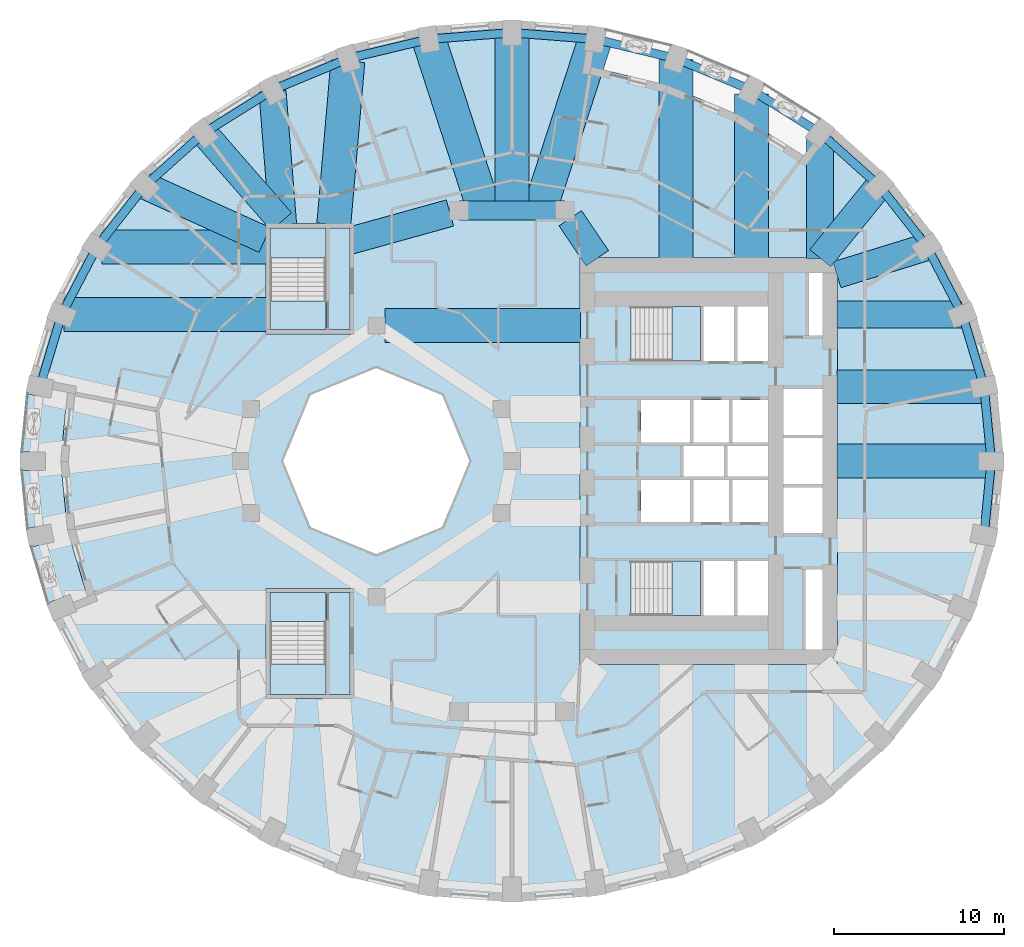
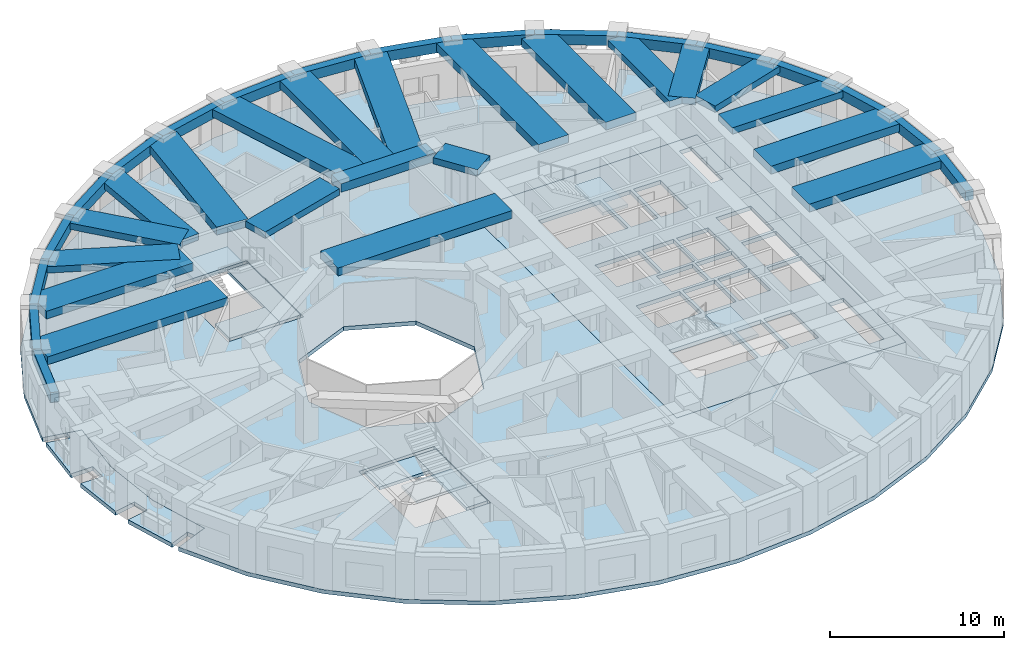
# One storey, part 2 of 13: 39 beams, 11 slabs, 4 elements without a shape of their own.
"""IFC4 building model written with IfcOpenShell, lengths in metres."""

from ifc_helpers import new_model, si_unit, direction, frame, origin, origin_2d, place, context, subcontext, project, spatial, polyline, rectangle, outline, extrude, material, layer, layer_set, material_profile, profile_set, type_object, element, aggregate, save


model = new_model("IFC4")

# Units and contexts
model_context = context("Model", 3, precision=1e-05, world=origin(), true_north=direction((0.0, 1.0)))
body_context = subcontext(model_context, "Body", "Model", "MODEL_VIEW")
ifc_project = project(units=[si_unit("LENGTHUNIT", "METRE"), si_unit("AREAUNIT", "SQUARE_METRE"), si_unit("VOLUMEUNIT", "CUBIC_METRE"), si_unit("PLANEANGLEUNIT", "RADIAN"), si_unit("MASSUNIT", "GRAM", prefix="KILO")], contexts=[model_context])

# Site, building, storey
site_placement = place(None, origin())
site = spatial("IfcSite", under=ifc_project, at=site_placement, CompositionType="ELEMENT")
building_placement = place(site_placement, origin())
building = spatial("IfcBuilding", under=site, at=building_placement, Name="Taillehof Tower", CompositionType="ELEMENT")
storey_placement = place(building_placement, frame((0.0, 0.0, 61.300048828125)))
storey = spatial("IfcBuildingStorey", under=building, at=storey_placement, Name="L16", CompositionType="ELEMENT", Elevation=61.300048828125)

# Beams
ifc_material_1 = material(Name="Concrete C50/60", Category="concrete")
ifc_material_profile_1 = material_profile(ifc_material_1, rectangle(XDim=1.10009765625, YDim=0.60009765625, at=origin_2d()), Name="RC 1100x600")
ifc_profile_set_1 = profile_set([ifc_material_profile_1], Name="Concrete C50/60")
beam_type_1 = type_object("IfcBeamType", Name="Mid-ring beam C50/60 1100x600", PredefinedType="BEAM", material=ifc_profile_set_1)
beam_1_placement = place(storey_placement, frame((3.125732421875, 14.772216796875, 2.719970703125), z_axis=(-1.0, 0.0, 0.0), x_axis=(0.0, -1.0, 0.0)))
element("IfcBeam", 1, at=beam_1_placement, inside=storey, type_object=beam_type_1, Name="Mid-ring beam MB01", PredefinedType="BEAM", context=body_context, shape_type="SweptSolid", body=[
    extrude(rectangle(XDim=1.10009765625, YDim=0.60009765625, at=origin_2d()), origin(), (0.0, 0.0, 1.0), 6.25146484375),
])
ifc_material_2 = material(Name="Concrete C50/60", Category="concrete")
ifc_material_profile_2 = material_profile(ifc_material_2, rectangle(XDim=1.60009765625, YDim=0.449951171875, at=origin_2d()), Name="RC 1600x450")
ifc_profile_set_2 = profile_set([ifc_material_profile_2], Name="Concrete C50/60")
beam_type_2 = type_object("IfcBeamType", Name="Radial band beam C50/60 1600x450", PredefinedType="BEAM", material=ifc_profile_set_2)
beam_2_placement = place(storey_placement, frame((26.490478515625, 8.635986328125, 2.794921875), z_axis=(-1.0, 0.0, 0.0), x_axis=(0.0, -1.0, 0.0)))
element("IfcBeam", 2, at=beam_2_placement, inside=storey, type_object=beam_type_2, Name="Radial band beam RB03", PredefinedType="BEAM", context=body_context, shape_type="SweptSolid", body=[
    extrude(rectangle(XDim=1.60009765625, YDim=0.449951171875, at=origin_2d()), origin(), (0.0, 0.0, 1.0), 7.340576171875),
])
beam_3_placement = place(storey_placement, frame((24.46533203125, 12.625, 2.794921875), z_axis=(-0.955535654338, -0.294875589511, 0.0), x_axis=(0.294875589511, -0.955535654338, 0.0)))
element("IfcBeam", 3, at=beam_3_placement, inside=storey, type_object=beam_type_2, Name="Radial band beam RB04", PredefinedType="BEAM", context=body_context, shape_type="SweptSolid", body=[
    extrude(rectangle(XDim=1.60009765625, YDim=0.449951171875, at=origin_2d()), origin(), (0.0, 0.0, 1.0), 5.560546875),
])
beam_4_placement = place(storey_placement, frame((21.640869140625, 16.23046875, 2.794921875), z_axis=(-0.630988373846, -0.775792286679, 0.0), x_axis=(0.775792286679, -0.630988373846, 0.0)))
element("IfcBeam", 4, at=beam_4_placement, inside=storey, type_object=beam_type_2, Name="Radial band beam RB05", PredefinedType="BEAM", context=body_context, shape_type="SweptSolid", body=[
    extrude(rectangle(XDim=1.60009765625, YDim=0.449951171875, at=origin_2d()), origin(), (0.0, 0.0, 1.0), 5.503173828125),
])
beam_5_placement = place(storey_placement, frame((18.15869140625, 19.05517578125, 2.794921875), z_axis=(0.0, -1.0, 0.0), x_axis=(1.0, 0.0, 0.0)))
element("IfcBeam", 5, at=beam_5_placement, inside=storey, type_object=beam_type_2, Name="Radial band beam RB06", PredefinedType="BEAM", context=body_context, shape_type="SweptSolid", body=[
    extrude(rectangle(XDim=1.60009765625, YDim=0.449951171875, at=origin_2d()), origin(), (0.0, 0.0, 1.0), 7.105224609375),
])
beam_6_placement = place(storey_placement, frame((-14.119873046875, 21.802978515625, 2.794921875), z_axis=(0.079184740988, -0.996859958467, 0.0), x_axis=(0.996859958467, 0.079184740988, 0.0)))
element("IfcBeam", 6, at=beam_6_placement, inside=storey, type_object=beam_type_2, Name="Radial band beam RB13", PredefinedType="BEAM", context=body_context, shape_type="SweptSolid", body=[
    extrude(rectangle(XDim=1.60009765625, YDim=0.449951171875, at=origin_2d()), origin(), (0.0, 0.0, 1.0), 7.87744140625),
])
beam_7_placement = place(storey_placement, frame((-18.15869140625, 19.342529296875, 2.794921875), z_axis=(0.65721824087, -0.753700327628, 0.0), x_axis=(0.753700327628, 0.65721824087, 0.0)))
element("IfcBeam", 7, at=beam_7_placement, inside=storey, type_object=beam_type_2, Name="Radial band beam RB14", PredefinedType="BEAM", context=body_context, shape_type="SweptSolid", body=[
    extrude(rectangle(XDim=1.60009765625, YDim=0.449951171875, at=origin_2d()), origin(), (0.0, 0.0, 1.0), 6.9384765625),
])
beam_8_placement = place(storey_placement, frame((-21.632568359375, 16.226806640625, 2.794921875), z_axis=(0.911100590789, -0.412184077161, 0.0), x_axis=(0.412184077161, 0.911100590789, 0.0)))
element("IfcBeam", 8, at=beam_8_placement, inside=storey, type_object=beam_type_2, Name="Radial band beam RB15", PredefinedType="BEAM", context=body_context, shape_type="SweptSolid", body=[
    extrude(rectangle(XDim=1.60009765625, YDim=0.449951171875, at=origin_2d()), origin(), (0.0, 0.0, 1.0), 7.740966796875),
])
beam_9_placement = place(storey_placement, frame((3.433837890625, 14.31640625, 2.794921875), z_axis=(0.560112043398, -0.828416862962, 0.0), x_axis=(0.828416862962, 0.560112043398, 0.0)))
element("IfcBeam", 9, at=beam_9_placement, inside=storey, type_object=beam_type_2, Name="Inner band beam IB205", PredefinedType="BEAM", context=body_context, shape_type="SweptSolid", body=[
    extrude(rectangle(XDim=1.60009765625, YDim=0.449951171875, at=origin_2d()), origin(), (0.0, 0.0, 1.0), 2.84619140625),
])
beam_10_placement = place(storey_placement, frame((-3.655517578125, 14.624755859375, 2.794921875), z_axis=(-0.963459369536, -0.267854518821, 0.0), x_axis=(0.267854518821, -0.963459369536, 0.0)))
element("IfcBeam", 10, at=beam_10_placement, inside=storey, type_object=beam_type_2, Name="Inner band beam IB206", PredefinedType="BEAM", context=body_context, shape_type="SweptSolid", body=[
    extrude(rectangle(XDim=1.60009765625, YDim=0.449951171875, at=origin_2d()), origin(), (0.0, 0.0, 1.0), 6.096923828125),
])
ifc_material_3 = material(Name="Concrete C50/60", Category="concrete")
ifc_material_profile_3 = material_profile(ifc_material_3, rectangle(XDim=2.0, YDim=0.550048828125, at=origin_2d()), Name="RC 2000x550")
ifc_profile_set_3 = profile_set([ifc_material_profile_3], Name="Concrete C50/60")
beam_type_3 = type_object("IfcBeamType", Name="Radial band beam C50/60 2000x550", PredefinedType="BEAM", material=ifc_profile_set_3)
beam_11_placement = place(storey_placement, frame((28.25, 0.0, 2.744873046875), z_axis=(-1.0, 0.0, 0.0), x_axis=(0.0, -1.0, 0.0)))
element("IfcBeam", 11, at=beam_11_placement, inside=storey, type_object=beam_type_3, Name="Radial band beam RB01", PredefinedType="BEAM", context=body_context, shape_type="SweptSolid", body=[
    extrude(rectangle(XDim=2.0, YDim=0.550048828125, at=origin_2d()), origin(), (0.0, 0.0, 1.0), 9.10009765625),
])
beam_12_placement = place(storey_placement, frame((27.82080078125, 4.384521484375, 2.744873046875), z_axis=(-1.0, 0.0, 0.0), x_axis=(0.0, -1.0, 0.0)))
element("IfcBeam", 12, at=beam_12_placement, inside=storey, type_object=beam_type_3, Name="Radial band beam RB02", PredefinedType="BEAM", context=body_context, shape_type="SweptSolid", body=[
    extrude(rectangle(XDim=2.0, YDim=0.550048828125, at=origin_2d()), origin(), (0.0, 0.0, 1.0), 8.6708984375),
])
beam_13_placement = place(storey_placement, frame((14.125, 21.63232421875, 2.744873046875), z_axis=(0.0, -1.0, 0.0), x_axis=(1.0, 0.0, 0.0)))
element("IfcBeam", 13, at=beam_13_placement, inside=storey, type_object=beam_type_3, Name="Radial band beam RB07", PredefinedType="BEAM", context=body_context, shape_type="SweptSolid", body=[
    extrude(rectangle(XDim=2.0, YDim=0.550048828125, at=origin_2d()), origin(), (0.0, 0.0, 1.0), 9.682373046875),
])
beam_14_placement = place(storey_placement, frame((9.662109375, 23.664794921875, 2.744873046875), z_axis=(0.0, -1.0, 0.0), x_axis=(1.0, 0.0, 0.0)))
element("IfcBeam", 14, at=beam_14_placement, inside=storey, type_object=beam_type_3, Name="Radial band beam RB08", PredefinedType="BEAM", context=body_context, shape_type="SweptSolid", body=[
    extrude(rectangle(XDim=2.0, YDim=0.550048828125, at=origin_2d()), origin(), (0.0, 0.0, 1.0), 11.71484375),
])
beam_15_placement = place(storey_placement, frame((4.905517578125, 24.866455078125, 2.744873046875), z_axis=(-0.309014294595, -0.951057393503, 0.0), x_axis=(0.951057393503, -0.309014294595, 0.0)))
element("IfcBeam", 15, at=beam_15_placement, inside=storey, type_object=beam_type_3, Name="Radial band beam RB09", PredefinedType="BEAM", context=body_context, shape_type="SweptSolid", body=[
    extrude(rectangle(XDim=2.0, YDim=0.550048828125, at=origin_2d()), origin(), (0.0, 0.0, 1.0), 10.61376953125),
])
beam_16_placement = place(storey_placement, frame((0.0, 25.25, 2.744873046875), z_axis=(0.0, -1.0, 0.0), x_axis=(1.0, 0.0, 0.0)))
element("IfcBeam", 16, at=beam_16_placement, inside=storey, type_object=beam_type_3, Name="Radial band beam RB10", PredefinedType="BEAM", context=body_context, shape_type="SweptSolid", body=[
    extrude(rectangle(XDim=2.0, YDim=0.550048828125, at=origin_2d()), origin(), (0.0, 0.0, 1.0), 10.477783203125),
])
beam_17_placement = place(storey_placement, frame((-4.905517578125, 24.866455078125, 2.744873046875), z_axis=(0.309014294595, -0.951057393503, 0.0), x_axis=(0.951057393503, 0.309014294595, 0.0)))
element("IfcBeam", 17, at=beam_17_placement, inside=storey, type_object=beam_type_3, Name="Radial band beam RB11", PredefinedType="BEAM", context=body_context, shape_type="SweptSolid", body=[
    extrude(rectangle(XDim=2.0, YDim=0.550048828125, at=origin_2d()), origin(), (0.0, 0.0, 1.0), 10.61376953125),
])
beam_18_placement = place(storey_placement, frame((-9.675048828125, 23.575927734375, 2.744873046875), z_axis=(-0.085841202752, -0.996308831593, 0.0), x_axis=(0.996308831593, -0.085841202752, 0.0)))
element("IfcBeam", 18, at=beam_18_placement, inside=storey, type_object=beam_type_3, Name="Radial band beam RB12", PredefinedType="BEAM", context=body_context, shape_type="SweptSolid", body=[
    extrude(rectangle(XDim=2.0, YDim=0.550048828125, at=origin_2d()), origin(), (0.0, 0.0, 1.0), 9.661376953125),
])
beam_19_placement = place(storey_placement, frame((-24.172607421875, 12.625, 2.744873046875), z_axis=(1.0, 0.0, 0.0), x_axis=(0.0, 1.0, 0.0)))
element("IfcBeam", 19, at=beam_19_placement, inside=storey, type_object=beam_type_3, Name="Radial band beam RB16", PredefinedType="BEAM", context=body_context, shape_type="SweptSolid", body=[
    extrude(rectangle(XDim=2.0, YDim=0.550048828125, at=origin_2d()), origin(), (0.0, 0.0, 1.0), 9.72265625),
])
beam_20_placement = place(storey_placement, frame((-26.408935546875, 8.635986328125, 2.744873046875), z_axis=(1.0, 0.0, 0.0), x_axis=(0.0, 1.0, 0.0)))
element("IfcBeam", 20, at=beam_20_placement, inside=storey, type_object=beam_type_3, Name="Radial band beam RB17", PredefinedType="BEAM", context=body_context, shape_type="SweptSolid", body=[
    extrude(rectangle(XDim=2.0, YDim=0.550048828125, at=origin_2d()), origin(), (0.0, 0.0, 1.0), 11.958984375),
])
beam_21_placement = place(storey_placement, frame((-7.5, 8.0, 2.744873046875), z_axis=(1.0, 0.0, 0.0), x_axis=(0.0, 1.0, 0.0)))
element("IfcBeam", 21, at=beam_21_placement, inside=storey, type_object=beam_type_3, Name="Inner band beam IB105", PredefinedType="BEAM", context=body_context, shape_type="SweptSolid", body=[
    extrude(rectangle(XDim=2.0, YDim=0.550048828125, at=origin_2d()), origin(), (0.0, 0.0, 1.0), 11.550048828125),
])
ifc_material_4 = material(Name="Concrete C50/60", Category="concrete")
ifc_material_profile_4 = material_profile(ifc_material_4, rectangle(XDim=0.5, YDim=0.699951171875, at=origin_2d()), Name="RC 500x700")
ifc_profile_set_4 = profile_set([ifc_material_profile_4], Name="Concrete C50/60")
beam_type_4 = type_object("IfcBeamType", Name="Spandrel beam C50/60 500x700", PredefinedType="SPANDREL", material=ifc_profile_set_4)
beam_22_placement = place(storey_placement, frame((28.25, 0.0, 2.669921875), z_axis=(-0.097423973567, 0.99524297002, 0.0), x_axis=(-0.99524297002, -0.097423973567, 0.0)))
element("IfcBeam", 22, at=beam_22_placement, inside=storey, type_object=beam_type_4, Name="Spandrel beam SB01", PredefinedType="SPANDREL", context=body_context, shape_type="SweptSolid", body=[
    extrude(rectangle(XDim=0.5, YDim=0.699951171875, at=origin_2d()), origin(), (0.0, 0.0, 1.0), 4.405517578125),
])
beam_23_placement = place(storey_placement, frame((27.82080078125, 4.384521484375, 2.669921875), z_axis=(-0.287135925407, 0.957889847707, 0.0), x_axis=(-0.957889847707, -0.287135925407, 0.0)))
element("IfcBeam", 23, at=beam_23_placement, inside=storey, type_object=beam_type_4, Name="Spandrel beam SB02", PredefinedType="SPANDREL", context=body_context, shape_type="SweptSolid", body=[
    extrude(rectangle(XDim=0.5, YDim=0.699951171875, at=origin_2d()), origin(), (0.0, 0.0, 1.0), 4.4384765625),
])
beam_24_placement = place(storey_placement, frame((26.54638671875, 8.635986328125, 2.669921875), z_axis=(-0.462536335232, 0.886600326297, 0.0), x_axis=(-0.886600326297, -0.462536335232, 0.0)))
element("IfcBeam", 24, at=beam_24_placement, inside=storey, type_object=beam_type_4, Name="Spandrel beam SB03", PredefinedType="SPANDREL", context=body_context, shape_type="SweptSolid", body=[
    extrude(rectangle(XDim=0.5, YDim=0.699951171875, at=origin_2d()), origin(), (0.0, 0.0, 1.0), 4.499267578125),
])
beam_25_placement = place(storey_placement, frame((24.46533203125, 12.625, 2.669921875), z_axis=(-0.616686200373, 0.787209076593, 0.0), x_axis=(-0.787209076593, -0.616686200373, 0.0)))
element("IfcBeam", 25, at=beam_25_placement, inside=storey, type_object=beam_type_4, Name="Spandrel beam SB04", PredefinedType="SPANDREL", context=body_context, shape_type="SweptSolid", body=[
    extrude(rectangle(XDim=0.5, YDim=0.699951171875, at=origin_2d()), origin(), (0.0, 0.0, 1.0), 4.580078125),
])
beam_26_placement = place(storey_placement, frame((21.640869140625, 16.23046875, 2.669921875), z_axis=(-0.745621283614, 0.666369943366, 0.0), x_axis=(-0.666369943366, -0.745621283614, 0.0)))
element("IfcBeam", 26, at=beam_26_placement, inside=storey, type_object=beam_type_4, Name="Spandrel beam SB05", PredefinedType="SPANDREL", context=body_context, shape_type="SweptSolid", body=[
    extrude(rectangle(XDim=0.5, YDim=0.699951171875, at=origin_2d()), origin(), (0.0, 0.0, 1.0), 4.670166015625),
])
beam_27_placement = place(storey_placement, frame((18.15869140625, 19.342529296875, 2.669921875), z_axis=(-0.847658018883, 0.530543007703, 0.0), x_axis=(-0.530543007703, -0.847658018883, 0.0)))
element("IfcBeam", 27, at=beam_27_placement, inside=storey, type_object=beam_type_4, Name="Spandrel beam SB06", PredefinedType="SPANDREL", context=body_context, shape_type="SweptSolid", body=[
    extrude(rectangle(XDim=0.5, YDim=0.699951171875, at=origin_2d()), origin(), (0.0, 0.0, 1.0), 4.758544921875),
])
beam_28_placement = place(storey_placement, frame((14.125, 21.8671875, 2.669921875), z_axis=(-0.923035088053, 0.384715773297, 0.0), x_axis=(-0.384715773297, -0.923035088053, 0.0)))
element("IfcBeam", 28, at=beam_28_placement, inside=storey, type_object=beam_type_4, Name="Spandrel beam SB07", PredefinedType="SPANDREL", context=body_context, shape_type="SweptSolid", body=[
    extrude(rectangle(XDim=0.5, YDim=0.699951171875, at=origin_2d()), origin(), (0.0, 0.0, 1.0), 4.8349609375),
])
beam_29_placement = place(storey_placement, frame((9.662109375, 23.727294921875, 2.669921875), z_axis=(-0.9724995553, 0.232904733616, 0.0), x_axis=(-0.232904733616, -0.9724995553, 0.0)))
element("IfcBeam", 29, at=beam_29_placement, inside=storey, type_object=beam_type_4, Name="Spandrel beam SB08", PredefinedType="SPANDREL", context=body_context, shape_type="SweptSolid", body=[
    extrude(rectangle(XDim=0.5, YDim=0.699951171875, at=origin_2d()), origin(), (0.0, 0.0, 1.0), 4.89111328125),
])
for number, where, z_axis, x_axis, name in (
    (30, (4.905517578125, 24.866455078125, 2.669921875), (-0.996957383661, 0.077948541767, 0.0), (-0.077948541767, -0.996957383661, 0.0), "Spandrel beam SB09"),
    (31, (0.0, 25.25, 2.669921875), (-0.996957383661, -0.077948541767, 0.0), (0.077948541767, -0.996957383661, 0.0), "Spandrel beam SB10"),
):
    element("IfcBeam", number, at=place(storey_placement, frame(where, z_axis=z_axis, x_axis=x_axis)), inside=storey, type_object=beam_type_4, Name=name, PredefinedType="SPANDREL", context=body_context, shape_type="SweptSolid", body=[
        extrude(rectangle(XDim=0.5, YDim=0.699951171875, at=origin_2d()), origin(), (0.0, 0.0, 1.0), 4.92041015625),
    ])
beam_30_placement = place(storey_placement, frame((-4.905517578125, 24.866455078125, 2.669921875), z_axis=(-0.9724995553, -0.232904733616, 0.0), x_axis=(0.232904733616, -0.9724995553, 0.0)))
element("IfcBeam", 32, at=beam_30_placement, inside=storey, type_object=beam_type_4, Name="Spandrel beam SB11", PredefinedType="SPANDREL", context=body_context, shape_type="SweptSolid", body=[
    extrude(rectangle(XDim=0.5, YDim=0.699951171875, at=origin_2d()), origin(), (0.0, 0.0, 1.0), 4.89111328125),
])
beam_31_placement = place(storey_placement, frame((-9.662109375, 23.727294921875, 2.669921875), z_axis=(-0.923035088053, -0.384715773297, 0.0), x_axis=(0.384715773297, -0.923035088053, 0.0)))
element("IfcBeam", 33, at=beam_31_placement, inside=storey, type_object=beam_type_4, Name="Spandrel beam SB12", PredefinedType="SPANDREL", context=body_context, shape_type="SweptSolid", body=[
    extrude(rectangle(XDim=0.5, YDim=0.699951171875, at=origin_2d()), origin(), (0.0, 0.0, 1.0), 4.8349609375),
])
beam_32_placement = place(storey_placement, frame((-14.125, 21.8671875, 2.669921875), z_axis=(-0.847658018883, -0.530543007703, 0.0), x_axis=(0.530543007703, -0.847658018883, 0.0)))
element("IfcBeam", 34, at=beam_32_placement, inside=storey, type_object=beam_type_4, Name="Spandrel beam SB13", PredefinedType="SPANDREL", context=body_context, shape_type="SweptSolid", body=[
    extrude(rectangle(XDim=0.5, YDim=0.699951171875, at=origin_2d()), origin(), (0.0, 0.0, 1.0), 4.758544921875),
])
beam_33_placement = place(storey_placement, frame((-18.15869140625, 19.342529296875, 2.669921875), z_axis=(-0.745621283614, -0.666369943366, 0.0), x_axis=(0.666369943366, -0.745621283614, 0.0)))
element("IfcBeam", 35, at=beam_33_placement, inside=storey, type_object=beam_type_4, Name="Spandrel beam SB14", PredefinedType="SPANDREL", context=body_context, shape_type="SweptSolid", body=[
    extrude(rectangle(XDim=0.5, YDim=0.699951171875, at=origin_2d()), origin(), (0.0, 0.0, 1.0), 4.670166015625),
])
beam_34_placement = place(storey_placement, frame((-21.640869140625, 16.23046875, 2.669921875), z_axis=(-0.616686200373, -0.787209076593, 0.0), x_axis=(0.787209076593, -0.616686200373, 0.0)))
element("IfcBeam", 36, at=beam_34_placement, inside=storey, type_object=beam_type_4, Name="Spandrel beam SB15", PredefinedType="SPANDREL", context=body_context, shape_type="SweptSolid", body=[
    extrude(rectangle(XDim=0.5, YDim=0.699951171875, at=origin_2d()), origin(), (0.0, 0.0, 1.0), 4.580078125),
])
beam_35_placement = place(storey_placement, frame((-24.46533203125, 12.625, 2.669921875), z_axis=(-0.462536335232, -0.886600326297, 0.0), x_axis=(0.886600326297, -0.462536335232, 0.0)))
element("IfcBeam", 37, at=beam_35_placement, inside=storey, type_object=beam_type_4, Name="Spandrel beam SB16", PredefinedType="SPANDREL", context=body_context, shape_type="SweptSolid", body=[
    extrude(rectangle(XDim=0.5, YDim=0.699951171875, at=origin_2d()), origin(), (0.0, 0.0, 1.0), 4.499267578125),
])
beam_36_placement = place(storey_placement, frame((-26.54638671875, 8.635986328125, 2.669921875), z_axis=(-0.287135925407, -0.957889847707, 0.0), x_axis=(0.957889847707, -0.287135925407, 0.0)))
element("IfcBeam", 38, at=beam_36_placement, inside=storey, type_object=beam_type_4, Name="Spandrel beam SB17", PredefinedType="SPANDREL", context=body_context, shape_type="SweptSolid", body=[
    extrude(rectangle(XDim=0.5, YDim=0.699951171875, at=origin_2d()), origin(), (0.0, 0.0, 1.0), 4.4384765625),
])
beam_37_placement = place(storey_placement, frame((27.82080078125, -4.384521484375, 2.669921875), z_axis=(0.097423973567, 0.99524297002, 0.0), x_axis=(-0.99524297002, 0.097423973567, 0.0)))
element("IfcBeam", 39, at=beam_37_placement, inside=storey, type_object=beam_type_4, Name="Spandrel beam SB36", PredefinedType="SPANDREL", context=body_context, shape_type="SweptSolid", body=[
    extrude(rectangle(XDim=0.5, YDim=0.699951171875, at=origin_2d()), origin(), (0.0, 0.0, 1.0), 4.405517578125),
])

# Slabs
ifc_material_5 = material(Name="Concrete C40/50", Category="concrete")
ifc_layer_1 = layer(ifc_material_5, 0.280029296875)
ifc_layer_set_1 = layer_set([ifc_layer_1], Name="Balcony slab 280")
slab_type_1 = type_object("IfcSlabType", Name="Balcony slab 280", PredefinedType="USERDEFINED", material=ifc_layer_set_1)
slab_1_placement = place(storey_placement, frame((0.0, 0.0, -0.280029296875)))
element("IfcSlab", 40, at=slab_1_placement, inside=storey, type_object=slab_type_1, Name="Balcony L16 pocket 5", ObjectType="BALCONY", PredefinedType="USERDEFINED", context=body_context, shape_type="SweptSolid", body=[
    extrude(outline(polyline([(-25.02734375, -7.98974609375), (-25.86181640625, -8.328369140625), (-26.058349609375, -7.84423828125), (-27.4013671875, -8.3896484375), (-28.39697265625, -5.058349609375), (-26.978759765625, -4.779541015625), (-27.191162109375, -3.7001953125), (-28.611572265625, -3.979736328125), (-28.9462890625, -0.550048828125), (-27.5, -0.550048828125), (-27.5, 0.550048828125), (-28.9462890625, 0.550048828125), (-28.611572265625, 3.979736328125), (-27.191162109375, 3.7001953125), (-27.087646484375, 4.225341796875), (-26.20458984375, 4.0517578125), (-26.60009765625, 0.0), (-26.20458984375, -4.0517578125), (-25.02734375, -7.98974609375)])), origin(), (0.0, 0.0, 1.0), 0.280029296875),
])
ifc_material_6 = material(Name="Concrete C40/50", Category="concrete")
ifc_layer_2 = layer(ifc_material_6, 0.280029296875)
ifc_layer_set_2 = layer_set([ifc_layer_2], Name="Core floor slab C40/50 280")
slab_type_2 = type_object("IfcSlabType", Name="Core floor slab C40/50 280", PredefinedType="FLOOR", material=ifc_layer_set_2)
slab_2_placement = place(storey_placement, frame((0.0, 0.0, -0.280029296875)))
element("IfcSlab", 41, at=slab_2_placement, inside=storey, type_object=slab_type_2, Name="Core floor L16", PredefinedType="FLOOR", context=body_context, shape_type="SweptSolid", body=[
    extrude(outline(polyline([(4.0, -12.0), (4.0, 12.0), (19.199951171875, 12.0), (19.199951171875, -12.0), (4.0, -12.0)]), holes=[polyline([(7.00048828125, -9.10009765625), (11.10009765625, -9.10009765625), (11.10009765625, -5.89990234375), (7.00048828125, -5.89990234375), (7.00048828125, -9.10009765625)]), polyline([(13.10009765625, -9.10009765625), (13.10009765625, -5.89990234375), (11.300048828125, -5.89990234375), (11.300048828125, -9.10009765625), (13.10009765625, -9.10009765625)]), polyline([(10.5, -3.60009765625), (10.5, -1.10009765625), (7.60009765625, -1.10009765625), (7.60009765625, -3.60009765625), (10.5, -3.60009765625)]), polyline([(12.800048828125, -3.60009765625), (12.800048828125, -1.10009765625), (10.699951171875, -1.10009765625), (10.699951171875, -3.60009765625), (12.800048828125, -3.60009765625)]), polyline([(12.5, -0.89990234375), (12.5, 0.89990234375), (10.10009765625, 0.89990234375), (10.10009765625, -0.89990234375), (12.5, -0.89990234375)]), polyline([(15.10009765625, -0.89990234375), (15.10009765625, 0.89990234375), (12.699951171875, 0.89990234375), (12.699951171875, -0.89990234375), (15.10009765625, -0.89990234375)]), polyline([(10.5, 1.10009765625), (10.5, 3.60009765625), (7.60009765625, 3.60009765625), (7.60009765625, 1.10009765625), (10.5, 1.10009765625)]), polyline([(10.699951171875, 1.10009765625), (12.800048828125, 1.10009765625), (12.800048828125, 3.60009765625), (10.699951171875, 3.60009765625), (10.699951171875, 1.10009765625)]), polyline([(11.300048828125, 5.89990234375), (13.10009765625, 5.89990234375), (13.10009765625, 9.10009765625), (11.300048828125, 9.10009765625), (11.300048828125, 5.89990234375)]), polyline([(11.10009765625, 5.89990234375), (11.10009765625, 9.10009765625), (7.00048828125, 9.10009765625), (7.00048828125, 5.89990234375), (11.10009765625, 5.89990234375)]), polyline([(18.300048828125, -11.10009765625), (18.300048828125, -6.39990234375), (17.300048828125, -6.39990234375), (17.300048828125, -11.10009765625), (18.300048828125, -11.10009765625)]), polyline([(15.10009765625, -9.10009765625), (15.10009765625, -5.89990234375), (13.300048828125, -5.89990234375), (13.300048828125, -9.10009765625), (15.10009765625, -9.10009765625)]), polyline([(16.0, -4.25), (18.300048828125, -4.25), (18.300048828125, -1.550048828125), (16.0, -1.550048828125), (16.0, -4.25)]), polyline([(13.0, -3.60009765625), (15.10009765625, -3.60009765625), (15.10009765625, -1.10009765625), (13.0, -1.10009765625), (13.0, -3.60009765625)]), polyline([(18.300048828125, -1.35009765625), (18.300048828125, 1.35009765625), (16.0, 1.35009765625), (16.0, -1.35009765625), (18.300048828125, -1.35009765625)]), polyline([(15.10009765625, 1.10009765625), (15.10009765625, 3.60009765625), (13.0, 3.60009765625), (13.0, 1.10009765625), (15.10009765625, 1.10009765625)]), polyline([(18.300048828125, 1.550048828125), (18.300048828125, 4.25), (16.0, 4.25), (16.0, 1.550048828125), (18.300048828125, 1.550048828125)]), polyline([(13.300048828125, 5.89990234375), (15.10009765625, 5.89990234375), (15.10009765625, 9.10009765625), (13.300048828125, 9.10009765625), (13.300048828125, 5.89990234375)]), polyline([(17.5, 7.39990234375), (18.300048828125, 7.39990234375), (18.300048828125, 11.10009765625), (17.5, 11.10009765625), (17.5, 7.39990234375)])]), origin(), (0.0, 0.0, 1.0), 0.280029296875),
])
ifc_material_7 = material(Name="Concrete C40/50", Category="concrete")
ifc_layer_3 = layer(ifc_material_7, 0.280029296875)
ifc_layer_set_3 = layer_set([ifc_layer_3], Name="Floor slab 280")
slab_type_3 = type_object("IfcSlabType", Name="Floor slab 280", PredefinedType="FLOOR", material=ifc_layer_set_3)
slab_3_placement = place(storey_placement, frame((0.0, 0.0, -0.280029296875)))
element("IfcSlab", 42, at=slab_3_placement, inside=storey, type_object=slab_type_3, Name="Floor slab L16", PredefinedType="FLOOR", context=body_context, shape_type="SweptSolid", body=[
    extrude(outline(polyline([(29.0, 0.0), (28.559326171875, 4.514892578125), (27.251220703125, 8.892578125), (25.11474609375, 13.0), (22.21533203125, 16.71240234375), (18.640869140625, 19.917236328125), (17.197998046875, 17.999267578125), (13.396728515625, 20.38525390625), (9.174072265625, 22.150390625), (4.660888671875, 23.234375), (5.035888671875, 25.60498046875), (0.0, 26.0), (-5.035888671875, 25.60498046875), (-9.918701171875, 24.431884765625), (-14.5, 22.5166015625), (-18.640869140625, 19.917236328125), (-22.21533203125, 16.71240234375), (-25.11474609375, 13.0), (-27.251220703125, 8.892578125), (-28.559326171875, 4.514892578125), (-26.20458984375, 4.0517578125), (-26.60009765625, 0.0), (-26.20458984375, -4.0517578125), (-25.02734375, -7.98974609375), (-27.251220703125, -8.892578125), (-25.11474609375, -13.0), (-22.21533203125, -16.71240234375), (-18.640869140625, -19.917236328125), (-14.5, -22.5166015625), (-9.918701171875, -24.431884765625), (-5.035888671875, -25.60498046875), (0.0, -26.0), (5.035888671875, -25.60498046875), (9.918701171875, -24.431884765625), (14.5, -22.5166015625), (18.640869140625, -19.917236328125), (22.21533203125, -16.71240234375), (25.11474609375, -13.0), (27.251220703125, -8.892578125), (28.559326171875, -4.514892578125), (29.0, 0.0)]), holes=[polyline([(-14.5, -7.5), (-9.5, -7.5), (-9.5, -14.0), (-14.5, -14.0), (-14.5, -7.5)]), polyline([(-8.0, -5.5), (-11.88916015625, -3.88916015625), (-13.5, 0.0), (-11.88916015625, 3.88916015625), (-8.0, 5.5), (-4.11083984375, 3.88916015625), (-2.5, 0.0), (-4.11083984375, -3.88916015625), (-8.0, -5.5)]), polyline([(19.199951171875, 12.0), (19.199951171875, -12.0), (4.0, -12.0), (4.0, 12.0), (19.199951171875, 12.0)]), polyline([(-14.5, 14.0), (-9.5, 14.0), (-9.5, 7.5), (-14.5, 7.5), (-14.5, 14.0)])]), origin(), (0.0, 0.0, 1.0), 0.280029296875),
])

# Stair, slab
ifc_material_8 = material(Name="Concrete C40/50", Category="concrete")
stair_type = type_object("IfcStairType", Name="Exit stair half-turn", PredefinedType="HALF_TURN_STAIR", material=ifc_material_8)
stair_1_placement = place(storey_placement, origin())
stair_1 = element("IfcStair", 43, at=stair_1_placement, inside=storey, type_object=stair_type, Name="Exit stair S1", PredefinedType="HALF_TURN_STAIR")
ifc_material_9 = material(Name="Concrete C40/50", Category="concrete")
ifc_layer_4 = layer(ifc_material_9, 0.2099609375)
ifc_layer_set_4 = layer_set([ifc_layer_4], Name="Stair landing C40/50 210")
slab_type_4 = type_object("IfcSlabType", Name="Stair landing C40/50 210", PredefinedType="LANDING", material=ifc_layer_set_4)
slab_4_placement = place(storey_placement, frame((0.0, 0.0, 1.43994140625)))
slab_4 = element("IfcSlab", 44, at=slab_4_placement, type_object=slab_type_4, Name="S1 landing 1", PredefinedType="LANDING", context=body_context, shape_type="SweptSolid", body=[
    extrude(outline(polyline([(9.429931640625, 5.89990234375), (11.10009765625, 5.89990234375), (11.10009765625, 9.10009765625), (9.429931640625, 9.10009765625), (9.429931640625, 5.89990234375)])), origin(), (0.0, 0.0, 1.0), 0.2099609375),
])
aggregate(stair_1, [slab_4])

stair_2_placement = place(storey_placement, origin())
stair_2 = element("IfcStair", 45, at=stair_2_placement, inside=storey, type_object=stair_type, Name="Exit stair S2", PredefinedType="HALF_TURN_STAIR")
slab_5_placement = place(storey_placement, frame((0.0, 0.0, 1.43994140625)))
slab_5 = element("IfcSlab", 46, at=slab_5_placement, type_object=slab_type_4, Name="S2 landing 1", PredefinedType="LANDING", context=body_context, shape_type="SweptSolid", body=[
    extrude(outline(polyline([(9.429931640625, -5.89990234375), (11.10009765625, -5.89990234375), (11.10009765625, -9.10009765625), (9.429931640625, -9.10009765625), (9.429931640625, -5.89990234375)])), origin(), (0.0, 0.0, 1.0), 0.2099609375),
])
aggregate(stair_2, [slab_5])

stair_3_placement = place(storey_placement, origin())
stair_3 = element("IfcStair", 47, at=stair_3_placement, inside=storey, type_object=stair_type, Name="Exit stair S3", PredefinedType="HALF_TURN_STAIR")
slab_6_placement = place(storey_placement, frame((0.0, 0.0, 1.43994140625)))
slab_6 = element("IfcSlab", 48, at=slab_6_placement, type_object=slab_type_4, Name="S3 landing 1", PredefinedType="LANDING", context=body_context, shape_type="SweptSolid", body=[
    extrude(outline(polyline([(-14.25, 11.969970703125), (-14.25, 13.75), (-10.949951171875, 13.75), (-10.949951171875, 11.969970703125), (-14.25, 11.969970703125)])), origin(), (0.0, 0.0, 1.0), 0.2099609375),
])
aggregate(stair_3, [slab_6])

stair_4_placement = place(storey_placement, origin())
stair_4 = element("IfcStair", 49, at=stair_4_placement, inside=storey, type_object=stair_type, Name="Exit stair S4", PredefinedType="HALF_TURN_STAIR")
slab_7_placement = place(storey_placement, frame((0.0, 0.0, 1.43994140625)))
slab_7 = element("IfcSlab", 50, at=slab_7_placement, type_object=slab_type_4, Name="S4 landing 1", PredefinedType="LANDING", context=body_context, shape_type="SweptSolid", body=[
    extrude(outline(polyline([(-14.25, -11.969970703125), (-14.25, -13.75), (-10.949951171875, -13.75), (-10.949951171875, -11.969970703125), (-14.25, -11.969970703125)])), origin(), (0.0, 0.0, 1.0), 0.2099609375),
])
aggregate(stair_4, [slab_7])

# Slabs
slab_8_placement = place(storey_placement, frame((0.0, 0.0, -0.2099609375)))
element("IfcSlab", 51, at=slab_8_placement, inside=storey, type_object=slab_type_4, Name="Stair S3 floor landing", PredefinedType="LANDING", context=body_context, shape_type="SweptSolid", body=[
    extrude(outline(polyline([(-14.25, 7.75), (-14.25, 9.449951171875), (-10.949951171875, 9.449951171875), (-10.949951171875, 7.75), (-14.25, 7.75)])), origin(), (0.0, 0.0, 1.0), 0.2099609375),
])
slab_9_placement = place(storey_placement, frame((0.0, 0.0, -0.2099609375)))
element("IfcSlab", 52, at=slab_9_placement, inside=storey, type_object=slab_type_4, Name="Stair lobby S3 floor", PredefinedType="LANDING", context=body_context, shape_type="SweptSolid", body=[
    extrude(outline(polyline([(-10.949951171875, 7.75), (-9.550048828125, 7.75), (-9.550048828125, 13.75), (-10.949951171875, 13.75), (-10.949951171875, 7.75)])), origin(), (0.0, 0.0, 1.0), 0.2099609375),
])
slab_10_placement = place(storey_placement, frame((0.0, 0.0, -0.2099609375)))
element("IfcSlab", 53, at=slab_10_placement, inside=storey, type_object=slab_type_4, Name="Stair S4 floor landing", PredefinedType="LANDING", context=body_context, shape_type="SweptSolid", body=[
    extrude(outline(polyline([(-14.25, -7.75), (-14.25, -9.449951171875), (-10.949951171875, -9.449951171875), (-10.949951171875, -7.75), (-14.25, -7.75)])), origin(), (0.0, 0.0, 1.0), 0.2099609375),
])
slab_11_placement = place(storey_placement, frame((0.0, 0.0, -0.2099609375)))
element("IfcSlab", 54, at=slab_11_placement, inside=storey, type_object=slab_type_4, Name="Stair lobby S4 floor", PredefinedType="LANDING", context=body_context, shape_type="SweptSolid", body=[
    extrude(outline(polyline([(-10.949951171875, -13.75), (-9.550048828125, -13.75), (-9.550048828125, -7.75), (-10.949951171875, -7.75), (-10.949951171875, -13.75)])), origin(), (0.0, 0.0, 1.0), 0.2099609375),
])

save(model, "model.ifc")
